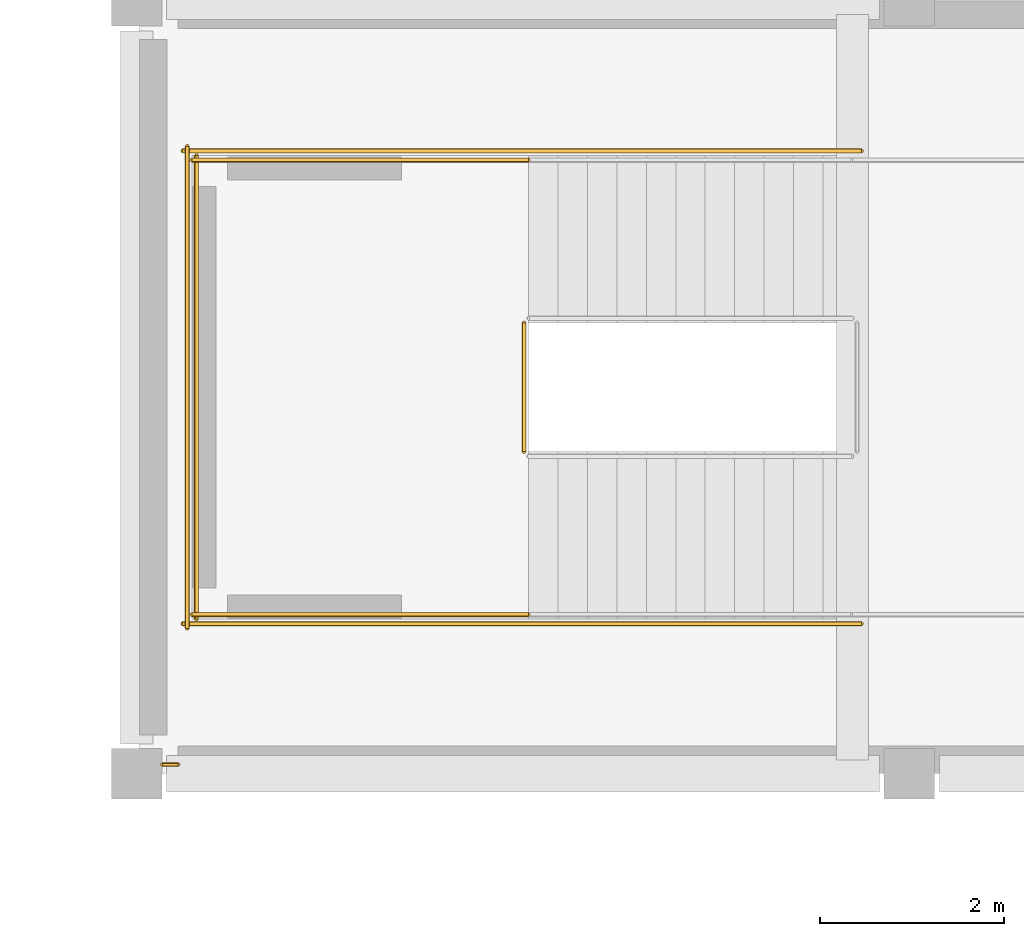
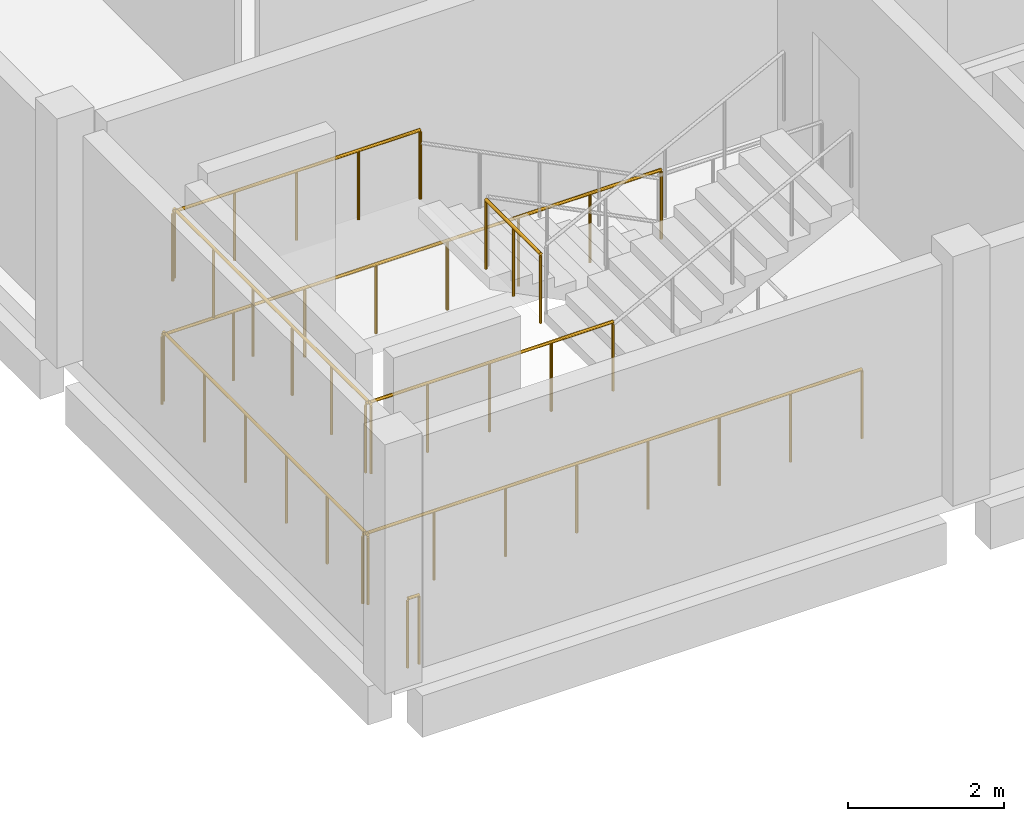
# One storey, part 66 of 74: 8 railings.
"""IFC4 building model written with IfcOpenShell, lengths in metres."""

from ifc_helpers import new_model, si_unit, derived_unit, direction, frame, origin, origin_2d, place, context, subcontext, project, spatial, circle, extrude, material, type_object, element, save


model = new_model("IFC4")

# Units and contexts
model_context = context("Model", 3, precision=1e-05, world=origin(), true_north=direction((0.0, 1.0)))
body_context = subcontext(model_context, "Body", "Model", "MODEL_VIEW")
ifc_project = project(units=[si_unit("LENGTHUNIT", "METRE"), si_unit("AREAUNIT", "SQUARE_METRE"), si_unit("VOLUMEUNIT", "CUBIC_METRE"), si_unit("PLANEANGLEUNIT", "RADIAN"), si_unit("MASSUNIT", "GRAM", prefix="KILO"), derived_unit("THERMALTRANSMITTANCEUNIT", [(si_unit("POWERUNIT", "WATT"), 1), (si_unit("LENGTHUNIT", "METRE"), -2), (si_unit("THERMODYNAMICTEMPERATUREUNIT", "KELVIN"), -1)])], contexts=[model_context])

# Site, building, storey
site_placement = place(None, origin())
site = spatial("IfcSite", under=ifc_project, at=site_placement, CompositionType="ELEMENT")
building_placement = place(site_placement, origin())
building = spatial("IfcBuilding", under=site, at=building_placement, Name="Elbkamm Science Centre", CompositionType="ELEMENT")
storey_placement = place(building_placement, frame((0.0, 0.0, 14.39990234375)))
storey = spatial("IfcBuildingStorey", under=building, at=storey_placement, Name="L03", CompositionType="ELEMENT", Elevation=14.39990234375)

# Railings
ifc_material = material(Name="Stainless steel EN 1.4401", Category="steel")
railing_type_1 = type_object("IfcRailingType", Name="RAIL-EXT-GUARD-1100", PredefinedType="GUARDRAIL", material=ifc_material)
railing_1_placement = place(storey_placement, frame((126.449951171875, 25.300048828125, 0.0)))
element("IfcRailing", 1, at=railing_1_placement, inside=storey, type_object=railing_type_1, Name="L03 Slab Edge Perimeter Guard 089", PredefinedType="GUARDRAIL", context=body_context, shape_type="SweptSolid", body=[
    extrude(circle(Radius=0.02392578125, at=origin_2d()), frame((0.0, 0.0, 1.078125), z_axis=(-1.0, 0.0, 0.0), x_axis=(0.0, -1.0, 0.0)), (0.0, 0.0, 1.0), 0.169921875),
    extrude(circle(Radius=0.02001953125, at=origin_2d()), origin(), (0.0, 0.0, 1.0), 1.048095703125),
    extrude(circle(Radius=0.02001953125, at=origin_2d()), frame((-0.169921875, 0.0, 0.0)), (0.0, 0.0, 1.0), 1.048095703125),
])
railing_type_2 = type_object("IfcRailingType", Name="RAIL-GUARD-1100", PredefinedType="GUARDRAIL", material=ifc_material)
railing_2_placement = place(storey_placement, frame((130.2099609375, 30.10009765625, 1.9501953125)))
element("IfcRailing", 2, at=railing_2_placement, inside=storey, type_object=railing_type_2, Name="L03 ST-C4 stair guard 2", PredefinedType="GUARDRAIL", context=body_context, shape_type="SweptSolid", body=[
    extrude(circle(Radius=0.02392578125, at=origin_2d()), frame((0.0, 0.0, 1.078125), z_axis=(0.0, -1.0, 0.0), x_axis=(1.0, 0.0, 0.0)), (0.0, 0.0, 1.0), 1.400146484375),
    extrude(circle(Radius=0.02001953125, at=origin_2d()), origin(), (0.0, 0.0, 1.0), 1.048095703125),
    extrude(circle(Radius=0.02001953125, at=origin_2d()), frame((0.0, -0.7001953125, 0.0)), (0.0, 0.0, 1.0), 1.048095703125),
    extrude(circle(Radius=0.02001953125, at=origin_2d()), frame((0.0, -1.400146484375, 0.0)), (0.0, 0.0, 1.0), 1.048095703125),
])
for number, where, name in (
    (3, (130.260009765625, 31.8701171875, 1.9501953125), "L03 ST-C4 stair guard 3"),
    (4, (130.260009765625, 26.929931640625, 1.9501953125), "L03 ST-C4 stair guard 4"),
):
    element("IfcRailing", number, at=place(storey_placement, frame(where)), inside=storey, type_object=railing_type_2, Name=name, PredefinedType="GUARDRAIL", context=body_context, shape_type="SweptSolid", body=[
        extrude(circle(Radius=0.02392578125, at=origin_2d()), frame((0.0, 0.0, 1.078125), z_axis=(-1.0, 0.0, 0.0), x_axis=(0.0, -1.0, 0.0)), (0.0, 0.0, 1.0), 3.659912109375),
        extrude(circle(Radius=0.02001953125, at=origin_2d()), origin(), (0.0, 0.0, 1.0), 1.048095703125),
        extrude(circle(Radius=0.02001953125, at=origin_2d()), frame((-0.9150390625, 0.0, 0.0)), (0.0, 0.0, 1.0), 1.048095703125),
        extrude(circle(Radius=0.02001953125, at=origin_2d()), frame((-1.830078125, 0.0, 0.0)), (0.0, 0.0, 1.0), 1.048095703125),
        extrude(circle(Radius=0.02001953125, at=origin_2d()), frame((-2.744873046875, 0.0, 0.0)), (0.0, 0.0, 1.0), 1.048095703125),
        extrude(circle(Radius=0.02001953125, at=origin_2d()), frame((-3.659912109375, 0.0, 0.0)), (0.0, 0.0, 1.0), 1.048095703125),
    ])
railing_3_placement = place(storey_placement, frame((126.64990234375, 31.919921875, 1.9501953125)))
element("IfcRailing", 5, at=railing_3_placement, inside=storey, type_object=railing_type_2, Name="L03 ST-C4 stair guard 5", PredefinedType="GUARDRAIL", context=body_context, shape_type="SweptSolid", body=[
    extrude(circle(Radius=0.02392578125, at=origin_2d()), frame((0.0, 0.0, 1.078125), z_axis=(0.0, -1.0, 0.0), x_axis=(1.0, 0.0, 0.0)), (0.0, 0.0, 1.0), 5.0400390625),
    extrude(circle(Radius=0.02001953125, at=origin_2d()), origin(), (0.0, 0.0, 1.0), 1.048095703125),
    extrude(circle(Radius=0.02001953125, at=origin_2d()), frame((0.0, -1.008056640625, 0.0)), (0.0, 0.0, 1.0), 1.048095703125),
    extrude(circle(Radius=0.02001953125, at=origin_2d()), frame((0.0, -2.01611328125, 0.0)), (0.0, 0.0, 1.0), 1.048095703125),
    extrude(circle(Radius=0.02001953125, at=origin_2d()), frame((0.0, -3.02392578125, 0.0)), (0.0, 0.0, 1.0), 1.048095703125),
    extrude(circle(Radius=0.02001953125, at=origin_2d()), frame((0.0, -4.031982421875, 0.0)), (0.0, 0.0, 1.0), 1.048095703125),
    extrude(circle(Radius=0.02001953125, at=origin_2d()), frame((0.0, -5.0400390625, 0.0)), (0.0, 0.0, 1.0), 1.048095703125),
])
for number, where, name in (
    (6, (133.8798828125, 31.969970703125, 0.0), "L03 ST-C4 stair guard 10"),
    (7, (133.8798828125, 26.830078125, 0.0), "L03 ST-C4 stair guard 11"),
):
    element("IfcRailing", number, at=place(storey_placement, frame(where)), inside=storey, type_object=railing_type_2, Name=name, PredefinedType="GUARDRAIL", context=body_context, shape_type="SweptSolid", body=[
        extrude(circle(Radius=0.02392578125, at=origin_2d()), frame((0.0, 0.0, 1.078125), z_axis=(-1.0, 0.0, 0.0), x_axis=(0.0, -1.0, 0.0)), (0.0, 0.0, 1.0), 7.3798828125),
        extrude(circle(Radius=0.02001953125, at=origin_2d()), origin(), (0.0, 0.0, 1.0), 1.048095703125),
        extrude(circle(Radius=0.02001953125, at=origin_2d()), frame((-1.05419921875, 0.0, 0.0)), (0.0, 0.0, 1.0), 1.048095703125),
        extrude(circle(Radius=0.02001953125, at=origin_2d()), frame((-2.108642578125, 0.0, 0.0)), (0.0, 0.0, 1.0), 1.048095703125),
        extrude(circle(Radius=0.02001953125, at=origin_2d()), frame((-3.162841796875, 0.0, 0.0)), (0.0, 0.0, 1.0), 1.048095703125),
        extrude(circle(Radius=0.02001953125, at=origin_2d()), frame((-4.217041015625, 0.0, 0.0)), (0.0, 0.0, 1.0), 1.048095703125),
        extrude(circle(Radius=0.02001953125, at=origin_2d()), frame((-5.271240234375, 0.0, 0.0)), (0.0, 0.0, 1.0), 1.048095703125),
        extrude(circle(Radius=0.02001953125, at=origin_2d()), frame((-6.32568359375, 0.0, 0.0)), (0.0, 0.0, 1.0), 1.048095703125),
        extrude(circle(Radius=0.02001953125, at=origin_2d()), frame((-7.3798828125, 0.0, 0.0)), (0.0, 0.0, 1.0), 1.048095703125),
    ])
railing_4_placement = place(storey_placement, frame((126.550048828125, 32.02001953125, 0.0)))
element("IfcRailing", 8, at=railing_4_placement, inside=storey, type_object=railing_type_2, Name="L03 ST-C4 stair guard 12", PredefinedType="GUARDRAIL", context=body_context, shape_type="SweptSolid", body=[
    extrude(circle(Radius=0.02392578125, at=origin_2d()), frame((0.0, 0.0, 1.078125), z_axis=(0.0, -1.0, 0.0), x_axis=(1.0, 0.0, 0.0)), (0.0, 0.0, 1.0), 5.239990234375),
    extrude(circle(Radius=0.02001953125, at=origin_2d()), origin(), (0.0, 0.0, 1.0), 1.048095703125),
    extrude(circle(Radius=0.02001953125, at=origin_2d()), frame((0.0, -1.048095703125, 0.0)), (0.0, 0.0, 1.0), 1.048095703125),
    extrude(circle(Radius=0.02001953125, at=origin_2d()), frame((0.0, -2.095947265625, 0.0)), (0.0, 0.0, 1.0), 1.048095703125),
    extrude(circle(Radius=0.02001953125, at=origin_2d()), frame((0.0, -3.14404296875, 0.0)), (0.0, 0.0, 1.0), 1.048095703125),
    extrude(circle(Radius=0.02001953125, at=origin_2d()), frame((0.0, -4.19189453125, 0.0)), (0.0, 0.0, 1.0), 1.048095703125),
    extrude(circle(Radius=0.02001953125, at=origin_2d()), frame((0.0, -5.239990234375, 0.0)), (0.0, 0.0, 1.0), 1.048095703125),
])

save(model, "model.ifc")
